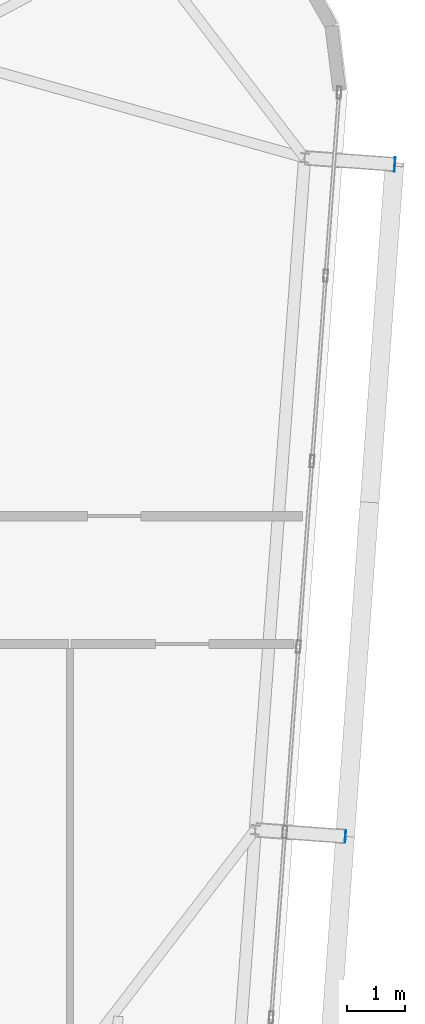
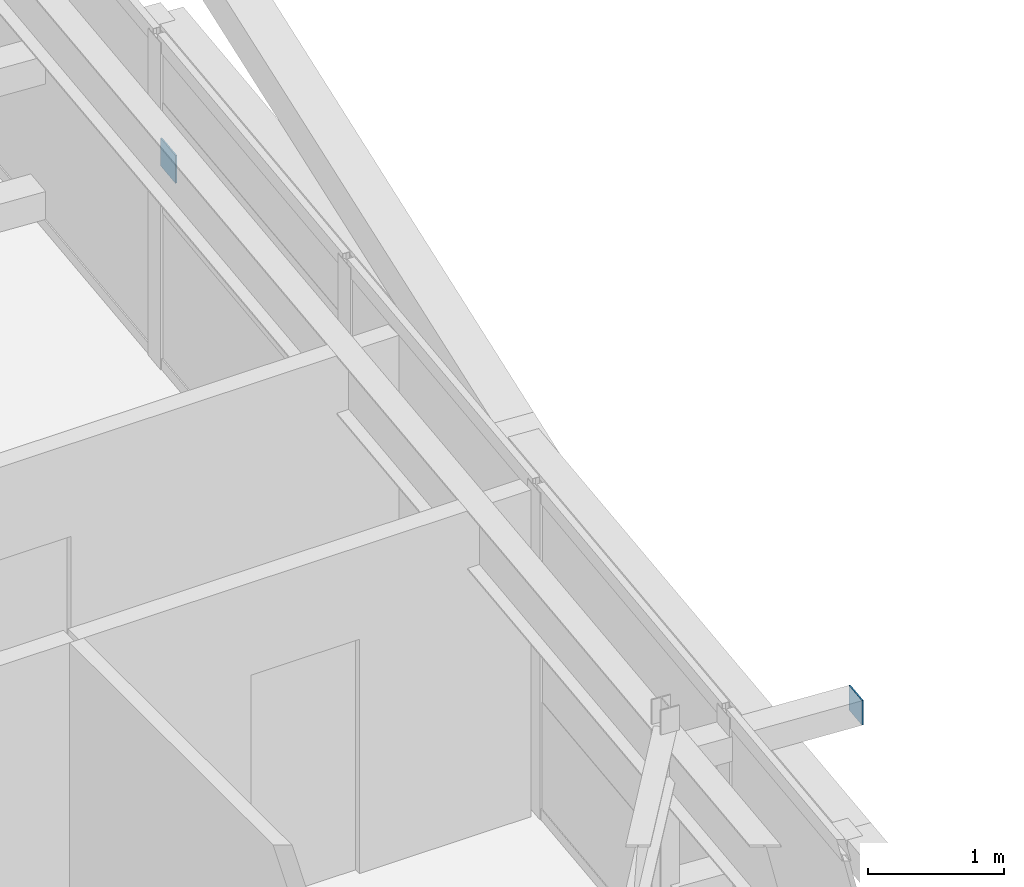
# One storey, part 35 of 42: 2 plates.
"""IFC4 building model written with IfcOpenShell, lengths in metres."""

from ifc_helpers import new_model, si_unit, direction, frame, origin, origin_2d, place, context, subcontext, project, spatial, rectangle, extrude, source, transform, mapped, material, layer, layer_set, type_object, element, save


model = new_model("IFC4")

# Units and contexts
model_context = context("Model", 3, precision=1e-05, world=origin(), true_north=direction((0.0, 1.0)))
body_context = subcontext(model_context, "Body", "Model", "MODEL_VIEW")
ifc_project = project(units=[si_unit("LENGTHUNIT", "METRE"), si_unit("AREAUNIT", "SQUARE_METRE"), si_unit("VOLUMEUNIT", "CUBIC_METRE"), si_unit("PLANEANGLEUNIT", "RADIAN"), si_unit("MASSUNIT", "GRAM", prefix="KILO")], contexts=[model_context])

# Site, building, storey
site_placement = place(None, origin())
site = spatial("IfcSite", under=ifc_project, at=site_placement, CompositionType="ELEMENT")
building_placement = place(site_placement, origin())
building = spatial("IfcBuilding", under=site, at=building_placement, Name="Taldren Reach Tower", CompositionType="ELEMENT")
storey_placement = place(building_placement, frame((0.0, 0.0, 214.550048828125)))
storey = spatial("IfcBuildingStorey", under=building, at=storey_placement, Name="L65", CompositionType="ELEMENT", Elevation=214.550048828125)

# Plates
ifc_material_1 = material(Name="Steel Gr 350 (C350L0)", Category="steel")
ifc_layer_1 = layer(ifc_material_1, 0.011962890625)
ifc_layer_set_1 = layer_set([ifc_layer_1], Name="Steel Gr 350 (C350L0)")
plate_type_1 = type_object("IfcPlateType", Name="PL-CAP-250", PredefinedType="SHEET", material=ifc_layer_set_1)
shared_shape_1 = source(origin(), body_context, "Body", "SweptSolid", [
    extrude(rectangle(XDim=0.011962890625, YDim=0.25, at=origin_2d()), origin(), (0.0, 0.0, 1.0), 0.25),
])
plate_1_placement = place(storey_placement, frame((59.0927734375, 30.0546875, 0.094970703125), z_axis=(0.0, 0.0, 1.0), x_axis=(0.997314477224, -0.073238197128, 0.0)))
element("IfcPlate", 1, at=plate_1_placement, inside=storey, type_object=plate_type_1, Name="Tie strut end cap plate B5-E3 L65", PredefinedType="SHEET", context=body_context, shape_type="MappedRepresentation", body=[
    mapped(shared_shape_1, transform((0.0, 0.0, 0.0), scale=1.0)),
])
ifc_material_2 = material(Name="Steel Gr 450 (C450L0)", Category="steel")
ifc_layer_2 = layer(ifc_material_2, 0.011962890625)
ifc_layer_set_2 = layer_set([ifc_layer_2], Name="Steel Gr 450 (C450L0)")
plate_type_2 = type_object("IfcPlateType", Name="PL-CAP-220", PredefinedType="SHEET", material=ifc_layer_set_2)
shared_shape_2 = source(origin(), body_context, "Body", "SweptSolid", [
    extrude(rectangle(XDim=0.011962890625, YDim=0.219970703125, at=origin_2d()), origin(), (0.0, 0.0, 1.0), 0.219970703125),
])
plate_2_placement = place(storey_placement, frame((58.2431640625, 18.48583984375, 2.5400390625), z_axis=(0.0, 0.0, 1.0), x_axis=(0.997314477224, -0.073238197128, 0.0)))
element("IfcPlate", 2, at=plate_2_placement, inside=storey, type_object=plate_type_2, Name="Tie strut end cap plate B5-E2 L65", PredefinedType="SHEET", context=body_context, shape_type="MappedRepresentation", body=[
    mapped(shared_shape_2, transform((0.0, 0.0, 0.0), scale=1.0)),
])

save(model, "model.ifc")
